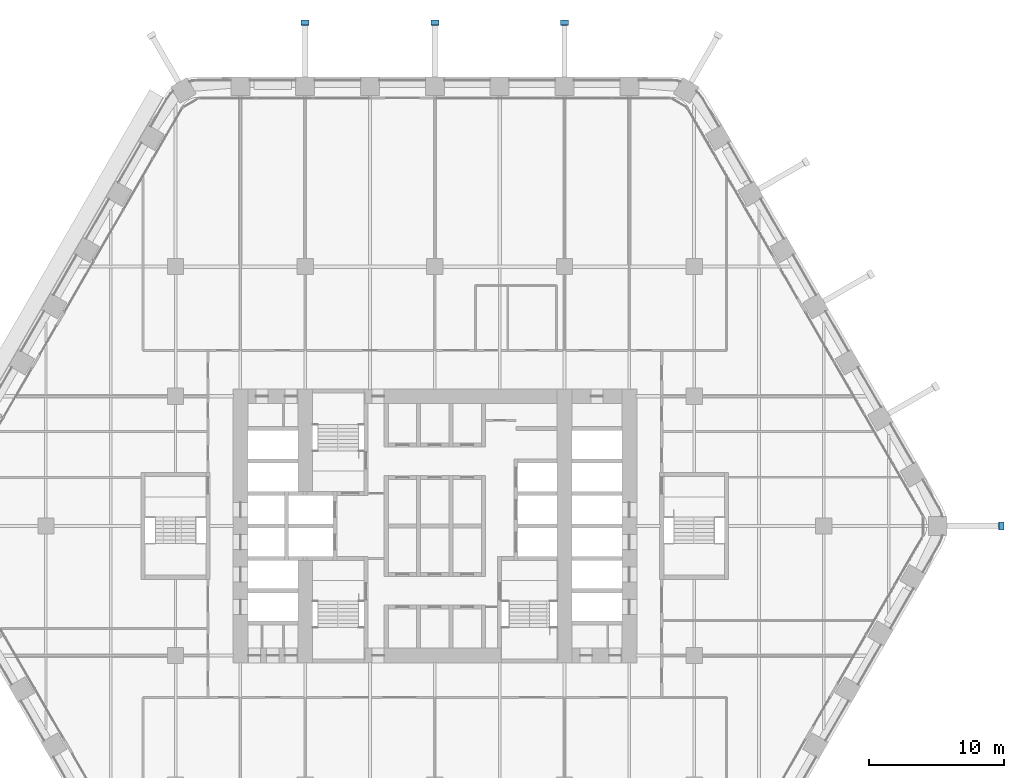
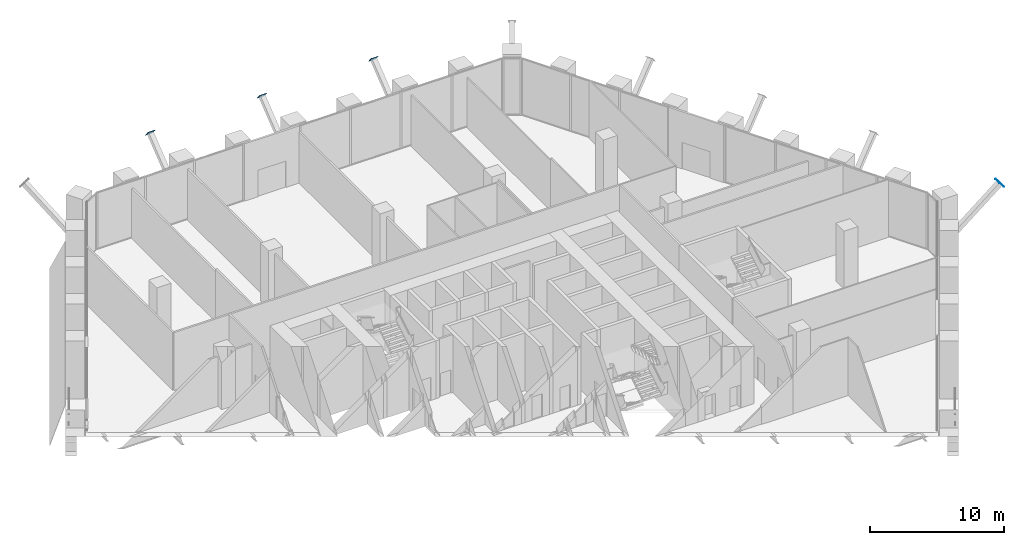
# One storey, part 27 of 29: 4 discrete accessories.
"""IFC4 building model written with IfcOpenShell, lengths in metres."""

from ifc_helpers import new_model, si_unit, direction, frame, origin, origin_2d, place, context, subcontext, project, spatial, rectangle, extrude, element, save


model = new_model("IFC4")

# Units and contexts
model_context = context("Model", 3, precision=1e-05, world=origin(), true_north=direction((0.0, 1.0)))
body_context = subcontext(model_context, "Body", "Model", "MODEL_VIEW")
ifc_project = project(units=[si_unit("LENGTHUNIT", "METRE"), si_unit("AREAUNIT", "SQUARE_METRE"), si_unit("VOLUMEUNIT", "CUBIC_METRE"), si_unit("PLANEANGLEUNIT", "RADIAN"), si_unit("MASSUNIT", "GRAM", prefix="KILO")], contexts=[model_context])

# Site, building, storey
site_placement = place(None, origin())
site = spatial("IfcSite", under=ifc_project, at=site_placement, CompositionType="ELEMENT")
building_placement = place(site_placement, origin())
building = spatial("IfcBuilding", under=site, at=building_placement, Name="Kolab Exchange Tower", CompositionType="ELEMENT")
storey_placement = place(building_placement, frame((0.0, 0.0, 33.39990234375)))
storey = spatial("IfcBuildingStorey", under=building, at=storey_placement, Name="L06", CompositionType="ELEMENT", Elevation=33.39990234375)

# Discrete accessories
for number, where, z_axis, x_axis, name in (
    (1, (-9.60009765625, 37.25537109375, 4.468017578125), (0.0, 0.780868809443, 0.624695047554), (-1.0, 0.0, 0.0), "Gusset plate"),
    (2, (0.0, 37.25537109375, 4.468017578125), (0.0, 0.780868809443, 0.624695047554), (-1.0, 0.0, 0.0), "Gusset plate"),
    (3, (9.60009765625, 37.25537109375, 4.468017578125), (0.0, 0.780868809443, 0.624695047554), (-1.0, 0.0, 0.0), "Gusset plate"),
    (4, (41.935791015625, 0.0, 4.468017578125), (0.780868809443, 0.0, 0.624695047554), (0.0, 1.0, 0.0), "Gusset plate"),
):
    element("IfcDiscreteAccessory", number, at=place(storey_placement, frame(where, z_axis=z_axis, x_axis=x_axis)), inside=storey, Name=name, ObjectType="GUSSET PLATE", PredefinedType="USERDEFINED", context=body_context, shape_type="SweptSolid", body=[
        extrude(rectangle(XDim=0.60009765625, YDim=0.60009765625, at=origin_2d()), origin(), (0.0, 0.0, 1.0), 0.02490234375),
    ])

save(model, "model.ifc")
